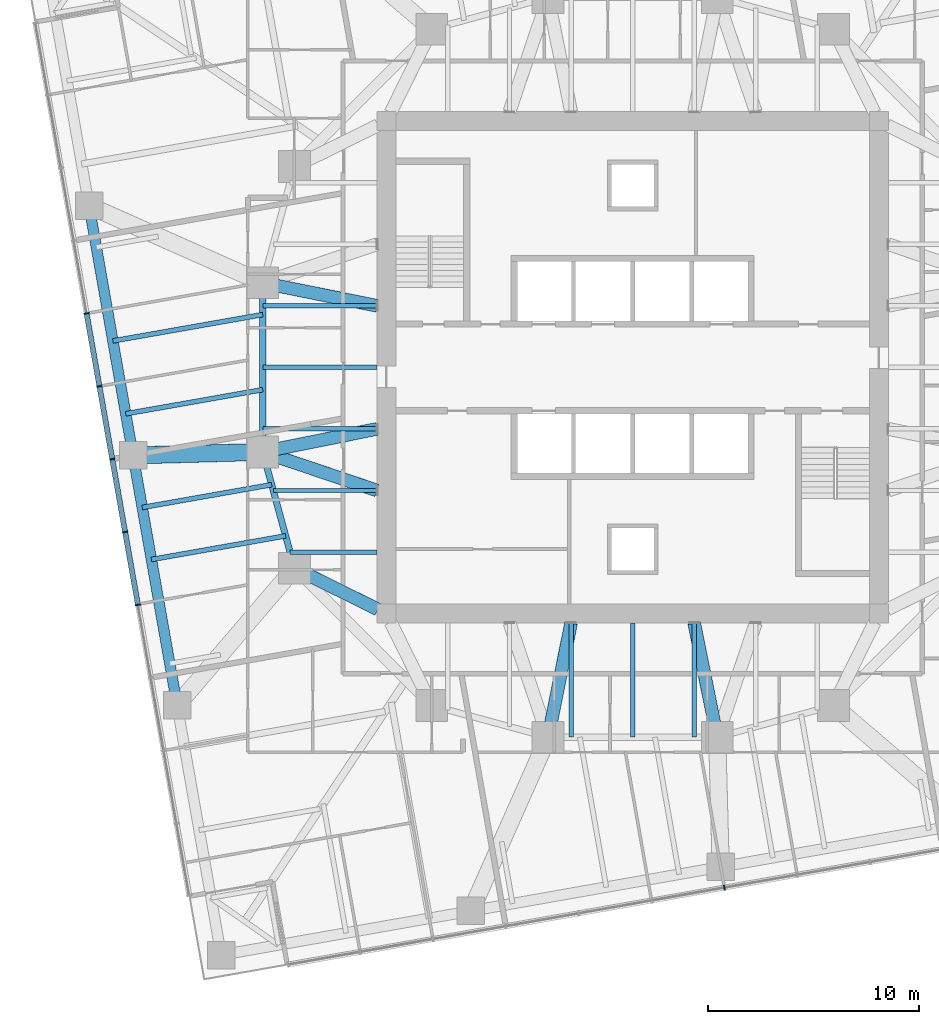
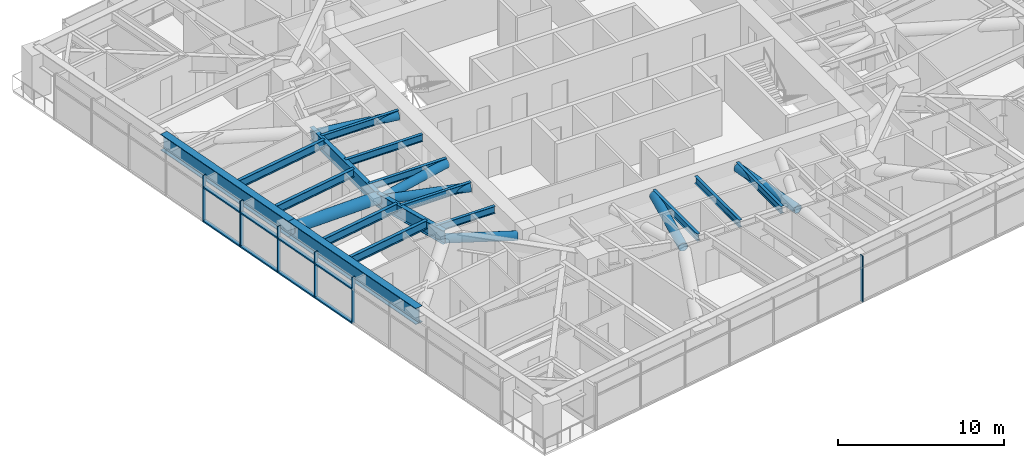
# One storey, part 3 of 17: 21 members, 16 beams, 2 elements without a shape of their own.
"""IFC4 building model written with IfcOpenShell, lengths in metres."""

from ifc_helpers import new_model, si_unit, direction, frame, origin, origin_2d, place, context, subcontext, project, spatial, rectangle, hollow_circle, i_section, extrude, material, material_profile, profile_set, type_object, element, aggregate, save


model = new_model("IFC4")

# Units and contexts
model_context = context("Model", 3, precision=1e-05, world=origin(), true_north=direction((0.0, 1.0)))
body_context = subcontext(model_context, "Body", "Model", "MODEL_VIEW")
ifc_project = project(units=[si_unit("LENGTHUNIT", "METRE"), si_unit("AREAUNIT", "SQUARE_METRE"), si_unit("VOLUMEUNIT", "CUBIC_METRE"), si_unit("PLANEANGLEUNIT", "RADIAN"), si_unit("MASSUNIT", "GRAM", prefix="KILO")], contexts=[model_context])

# Site, building, storey
site_placement = place(None, origin())
site = spatial("IfcSite", under=ifc_project, at=site_placement, CompositionType="ELEMENT")
building_placement = place(site_placement, origin())
building = spatial("IfcBuilding", under=site, at=building_placement, Name="Torsade Residences", CompositionType="ELEMENT")
storey_placement = place(building_placement, frame((0.0, 0.0, 103.199951171875)))
storey = spatial("IfcBuildingStorey", under=building, at=storey_placement, Name="L28", CompositionType="ELEMENT", Elevation=103.199951171875)

# Curtain wall, member
ifc_material_1 = material(Name="Aluminium and glass", Category="aluminium")
curtain_wall_type = type_object("IfcCurtainWallType", Name="FRITTED GLASS CURTAIN WALL LOW ZONE", PredefinedType="NOTDEFINED", material=ifc_material_1)
curtain_wall_1_placement = place(storey_placement, origin())
curtain_wall_1 = element("IfcCurtainWall", 1, at=curtain_wall_1_placement, inside=storey, type_object=curtain_wall_type, Name="Curtain wall L28 face 1", PredefinedType="NOTDEFINED")
ifc_material_2 = material(Name="Aluminium mullion", Category="aluminium")
ifc_material_profile_1 = material_profile(ifc_material_2, rectangle(XDim=0.25, YDim=0.06494140625, at=origin_2d()), Name="CURTAIN WALL MULLION 250x65")
ifc_profile_set_1 = profile_set([ifc_material_profile_1], Name="Aluminium mullion")
member_type_1 = type_object("IfcMemberType", Name="CURTAIN WALL MULLION 250x65", PredefinedType="MULLION", material=ifc_profile_set_1)
member_1_placement = place(storey_placement, frame((44.34130859375, 5.3798828125, 0.0), z_axis=(0.0, 0.0, 1.0), x_axis=(-0.173648192638, 0.984807750372, 0.0)))
member_1 = element("IfcMember", 2, at=member_1_placement, type_object=member_type_1, Name="Mullion 7", PredefinedType="MULLION", context=body_context, shape_type="SweptSolid", body=[
    extrude(rectangle(XDim=0.25, YDim=0.06494140625, at=origin_2d()), origin(), (0.0, 0.0, 1.0), 3.400146484375),
])
aggregate(curtain_wall_1, [member_1])

# Curtain wall, members
curtain_wall_2_placement = place(storey_placement, origin())
curtain_wall_2 = element("IfcCurtainWall", 3, at=curtain_wall_2_placement, inside=storey, type_object=curtain_wall_type, Name="Curtain wall L28 face 10", PredefinedType="NOTDEFINED")
member_2_placement = place(storey_placement, frame((14.164306640625, 32.552490234375, 0.0), z_axis=(0.0, 0.0, 1.0), x_axis=(0.984807750372, 0.173648192638, 0.0)))
member_2 = element("IfcMember", 4, at=member_2_placement, type_object=member_type_1, Name="Mullion 5", PredefinedType="MULLION", context=body_context, shape_type="SweptSolid", body=[
    extrude(rectangle(XDim=0.25, YDim=0.06494140625, at=origin_2d()), origin(), (0.0, 0.0, 1.0), 3.400146484375),
])
member_3_placement = place(storey_placement, frame((14.77197265625, 29.105712890625, 0.0), z_axis=(0.0, 0.0, 1.0), x_axis=(0.984807750372, 0.173648192638, 0.0)))
member_3 = element("IfcMember", 5, at=member_3_placement, type_object=member_type_1, Name="Mullion 6", PredefinedType="MULLION", context=body_context, shape_type="SweptSolid", body=[
    extrude(rectangle(XDim=0.25, YDim=0.06494140625, at=origin_2d()), origin(), (0.0, 0.0, 1.0), 3.400146484375),
])
member_4_placement = place(storey_placement, frame((15.3798828125, 25.65869140625, 0.0), z_axis=(0.0, 0.0, 1.0), x_axis=(0.984807750372, 0.173648192638, 0.0)))
member_4 = element("IfcMember", 6, at=member_4_placement, type_object=member_type_1, Name="Mullion 7", PredefinedType="MULLION", context=body_context, shape_type="SweptSolid", body=[
    extrude(rectangle(XDim=0.25, YDim=0.06494140625, at=origin_2d()), origin(), (0.0, 0.0, 1.0), 3.400146484375),
])
member_5_placement = place(storey_placement, frame((15.987548828125, 22.2119140625, 0.0), z_axis=(0.0, 0.0, 1.0), x_axis=(0.984807750372, 0.173648192638, 0.0)))
member_5 = element("IfcMember", 7, at=member_5_placement, type_object=member_type_1, Name="Mullion 8", PredefinedType="MULLION", context=body_context, shape_type="SweptSolid", body=[
    extrude(rectangle(XDim=0.25, YDim=0.06494140625, at=origin_2d()), origin(), (0.0, 0.0, 1.0), 3.400146484375),
])
member_6_placement = place(storey_placement, frame((16.595458984375, 18.76513671875, 0.0), z_axis=(0.0, 0.0, 1.0), x_axis=(0.984807750372, 0.173648192638, 0.0)))
member_6 = element("IfcMember", 8, at=member_6_placement, type_object=member_type_1, Name="Mullion 9", PredefinedType="MULLION", context=body_context, shape_type="SweptSolid", body=[
    extrude(rectangle(XDim=0.25, YDim=0.06494140625, at=origin_2d()), origin(), (0.0, 0.0, 1.0), 3.400146484375),
])
ifc_material_3 = material(Name="Aluminium transom", Category="aluminium")
ifc_material_profile_2 = material_profile(ifc_material_3, rectangle(XDim=0.25, YDim=0.10009765625, at=origin_2d()), Name="CURTAIN WALL TRANSOM 250x100")
ifc_profile_set_2 = profile_set([ifc_material_profile_2], Name="Aluminium transom")
member_type_2 = type_object("IfcMemberType", Name="CURTAIN WALL TRANSOM 250x100", PredefinedType="USERDEFINED", material=ifc_profile_set_2)
member_7_placement = place(storey_placement, frame((14.169921875, 32.5205078125, 0.050048828125), z_axis=(0.17363531196, -0.984810021497, 0.0), x_axis=(0.984810021497, 0.17363531196, 0.0)))
member_7 = element("IfcMember", 9, at=member_7_placement, type_object=member_type_2, Name="Transom 5.1", ObjectType="TRANSOM", PredefinedType="USERDEFINED", context=body_context, shape_type="SweptSolid", body=[
    extrude(rectangle(XDim=0.25, YDim=0.10009765625, at=origin_2d()), origin(), (0.0, 0.0, 1.0), 3.43505859375),
])
member_8_placement = place(storey_placement, frame((14.169921875, 32.5205078125, 2.550048828125), z_axis=(0.17363531196, -0.984810021497, 0.0), x_axis=(0.984810021497, 0.17363531196, 0.0)))
member_8 = element("IfcMember", 10, at=member_8_placement, type_object=member_type_2, Name="Transom 5.2", ObjectType="TRANSOM", PredefinedType="USERDEFINED", context=body_context, shape_type="SweptSolid", body=[
    extrude(rectangle(XDim=0.25, YDim=0.10009765625, at=origin_2d()), origin(), (0.0, 0.0, 1.0), 3.43505859375),
])
member_9_placement = place(storey_placement, frame((14.777587890625, 29.07373046875, 0.050048828125), z_axis=(0.173704242465, -0.98479786563, 0.0), x_axis=(0.98479786563, 0.173704242465, 0.0)))
member_9 = element("IfcMember", 11, at=member_9_placement, type_object=member_type_2, Name="Transom 6.1", ObjectType="TRANSOM", PredefinedType="USERDEFINED", context=body_context, shape_type="SweptSolid", body=[
    extrude(rectangle(XDim=0.25, YDim=0.10009765625, at=origin_2d()), origin(), (0.0, 0.0, 1.0), 3.43505859375),
])
member_10_placement = place(storey_placement, frame((14.777587890625, 29.07373046875, 2.550048828125), z_axis=(0.173704242465, -0.98479786563, 0.0), x_axis=(0.98479786563, 0.173704242465, 0.0)))
member_10 = element("IfcMember", 12, at=member_10_placement, type_object=member_type_2, Name="Transom 6.2", ObjectType="TRANSOM", PredefinedType="USERDEFINED", context=body_context, shape_type="SweptSolid", body=[
    extrude(rectangle(XDim=0.25, YDim=0.10009765625, at=origin_2d()), origin(), (0.0, 0.0, 1.0), 3.43505859375),
])
member_11_placement = place(storey_placement, frame((15.385498046875, 25.626708984375, 0.050048828125), z_axis=(0.17363531196, -0.984810021497, 0.0), x_axis=(0.984810021497, 0.17363531196, 0.0)))
member_11 = element("IfcMember", 13, at=member_11_placement, type_object=member_type_2, Name="Transom 7.1", ObjectType="TRANSOM", PredefinedType="USERDEFINED", context=body_context, shape_type="SweptSolid", body=[
    extrude(rectangle(XDim=0.25, YDim=0.10009765625, at=origin_2d()), origin(), (0.0, 0.0, 1.0), 3.43505859375),
])
member_12_placement = place(storey_placement, frame((15.385498046875, 25.626708984375, 2.550048828125), z_axis=(0.17363531196, -0.984810021497, 0.0), x_axis=(0.984810021497, 0.17363531196, 0.0)))
member_12 = element("IfcMember", 14, at=member_12_placement, type_object=member_type_2, Name="Transom 7.2", ObjectType="TRANSOM", PredefinedType="USERDEFINED", context=body_context, shape_type="SweptSolid", body=[
    extrude(rectangle(XDim=0.25, YDim=0.10009765625, at=origin_2d()), origin(), (0.0, 0.0, 1.0), 3.43505859375),
])
member_13_placement = place(storey_placement, frame((15.9931640625, 22.179931640625, 0.050048828125), z_axis=(0.17363531196, -0.984810021497, 0.0), x_axis=(0.984810021497, 0.17363531196, 0.0)))
member_13 = element("IfcMember", 15, at=member_13_placement, type_object=member_type_2, Name="Transom 8.1", ObjectType="TRANSOM", PredefinedType="USERDEFINED", context=body_context, shape_type="SweptSolid", body=[
    extrude(rectangle(XDim=0.25, YDim=0.10009765625, at=origin_2d()), origin(), (0.0, 0.0, 1.0), 3.43505859375),
])
member_14_placement = place(storey_placement, frame((15.9931640625, 22.179931640625, 2.550048828125), z_axis=(0.17363531196, -0.984810021497, 0.0), x_axis=(0.984810021497, 0.17363531196, 0.0)))
member_14 = element("IfcMember", 16, at=member_14_placement, type_object=member_type_2, Name="Transom 8.2", ObjectType="TRANSOM", PredefinedType="USERDEFINED", context=body_context, shape_type="SweptSolid", body=[
    extrude(rectangle(XDim=0.25, YDim=0.10009765625, at=origin_2d()), origin(), (0.0, 0.0, 1.0), 3.43505859375),
])
aggregate(curtain_wall_2, [member_2, member_3, member_4, member_5, member_6, member_7, member_8, member_9, member_10, member_11, member_12, member_13, member_14])

# Beams
ifc_material_4 = material(Name="Steel grade 300", Category="steel")
ifc_material_profile_3 = material_profile(ifc_material_4, i_section(OverallWidth=0.208984375, OverallDepth=0.528076171875, WebThickness=0.009521484375, FlangeThickness=0.01318359375, FilletRadius=0.013916015625, at=origin_2d()), Name="530UB82.0")
ifc_profile_set_3 = profile_set([ifc_material_profile_3], Name="Steel grade 300")
beam_type_1 = type_object("IfcBeamType", Name="INNER FLOOR BEAM 530UB82.0", PredefinedType="JOIST", material=ifc_profile_set_3)
for number, where, z_axis, x_axis, name in (
    (17, (42.91259765625, 17.89990234375, 2.93603515625), (0.0, -1.0, 0.0), (1.0, 0.0, 0.0), "Inner floor beam IS03 L29"),
    (18, (40.0, 17.89990234375, 2.93603515625), (0.0, -1.0, 0.0), (1.0, 0.0, 0.0), "Inner floor beam IS04 L29"),
    (19, (37.08740234375, 17.89990234375, 2.93603515625), (0.0, -1.0, 0.0), (1.0, 0.0, 0.0), "Inner floor beam IS05 L29"),
    (20, (27.89990234375, 32.91259765625, 2.93603515625), (-1.0, 0.0, 0.0), (0.0, -1.0, 0.0), "Inner floor beam IW03 L29"),
    (21, (27.89990234375, 30.0, 2.93603515625), (-1.0, 0.0, 0.0), (0.0, -1.0, 0.0), "Inner floor beam IW04 L29"),
    (22, (27.89990234375, 27.08740234375, 2.93603515625), (-1.0, 0.0, 0.0), (0.0, -1.0, 0.0), "Inner floor beam IW05 L29"),
):
    element("IfcBeam", number, at=place(storey_placement, frame(where, z_axis=z_axis, x_axis=x_axis)), inside=storey, type_object=beam_type_1, Name=name, PredefinedType="JOIST", context=body_context, shape_type="SweptSolid", body=[
        extrude(i_section(OverallWidth=0.208984375, OverallDepth=0.528076171875, WebThickness=0.009521484375, FlangeThickness=0.01318359375, FilletRadius=0.013916015625, at=origin_2d()), origin(), (0.0, 0.0, 1.0), 5.39990234375),
    ])
beam_1_placement = place(storey_placement, frame((27.89990234375, 24.175048828125, 2.93603515625), z_axis=(-1.0, 0.0, 0.0), x_axis=(0.0, -1.0, 0.0)))
element("IfcBeam", 23, at=beam_1_placement, inside=storey, type_object=beam_type_1, Name="Inner floor beam IW06 L29", PredefinedType="JOIST", context=body_context, shape_type="SweptSolid", body=[
    extrude(i_section(OverallWidth=0.208984375, OverallDepth=0.528076171875, WebThickness=0.009521484375, FlangeThickness=0.01318359375, FilletRadius=0.013916015625, at=origin_2d()), origin(), (0.0, 0.0, 1.0), 4.902099609375),
])
beam_2_placement = place(storey_placement, frame((27.89990234375, 21.262451171875, 2.93603515625), z_axis=(-1.0, 0.0, 0.0), x_axis=(0.0, -1.0, 0.0)))
element("IfcBeam", 24, at=beam_2_placement, inside=storey, type_object=beam_type_1, Name="Inner floor beam IW07 L29", PredefinedType="JOIST", context=body_context, shape_type="SweptSolid", body=[
    extrude(i_section(OverallWidth=0.208984375, OverallDepth=0.528076171875, WebThickness=0.009521484375, FlangeThickness=0.01318359375, FilletRadius=0.013916015625, at=origin_2d()), origin(), (0.0, 0.0, 1.0), 4.10791015625),
])
ifc_material_5 = material(Name="Steel grade 300", Category="steel")
ifc_material_profile_4 = material_profile(ifc_material_5, i_section(OverallWidth=0.300048828125, OverallDepth=1.0, WebThickness=0.01611328125, FlangeThickness=0.028076171875, at=origin_2d()), Name="1000WB215")
ifc_profile_set_4 = profile_set([ifc_material_profile_4], Name="Steel grade 300")
beam_type_2 = type_object("IfcBeamType", Name="RING GIRDER 1000WB215", PredefinedType="BEAM", material=ifc_profile_set_4)
beam_3_placement = place(storey_placement, frame((22.5, 34.0, 2.699951171875), z_axis=(0.0, -1.0, 0.0), x_axis=(1.0, 0.0, 0.0)))
element("IfcBeam", 25, at=beam_3_placement, inside=storey, type_object=beam_type_2, Name="Ring girder IR09 L29", PredefinedType="BEAM", context=body_context, shape_type="SweptSolid", body=[
    extrude(i_section(OverallWidth=0.300048828125, OverallDepth=1.0, WebThickness=0.01611328125, FlangeThickness=0.028076171875, at=origin_2d()), origin(), (0.0, 0.0, 1.0), 8.0),
])
beam_4_placement = place(storey_placement, frame((22.5, 26.0, 2.699951171875), z_axis=(0.263117405792, -0.964763821238, 0.0), x_axis=(0.964763821238, 0.263117405792, 0.0)))
element("IfcBeam", 26, at=beam_4_placement, inside=storey, type_object=beam_type_2, Name="Ring girder IR10 L29", PredefinedType="BEAM", context=body_context, shape_type="SweptSolid", body=[
    extrude(i_section(OverallWidth=0.300048828125, OverallDepth=1.0, WebThickness=0.01611328125, FlangeThickness=0.028076171875, at=origin_2d()), origin(), (0.0, 0.0, 1.0), 5.700927734375),
])
ifc_material_6 = material(Name="Steel grade 300", Category="steel")
ifc_material_profile_5 = material_profile(ifc_material_6, i_section(OverallWidth=0.22900390625, OverallDepth=0.612060546875, WebThickness=0.011962890625, FlangeThickness=0.01953125, FilletRadius=0.013916015625, at=origin_2d()), Name="610UB125")
ifc_profile_set_5 = profile_set([ifc_material_profile_5], Name="Steel grade 300")
beam_type_3 = type_object("IfcBeamType", Name="SECONDARY BEAM 610UB125", PredefinedType="JOIST", material=ifc_profile_set_5)
beam_5_placement = place(storey_placement, frame((15.40966796875, 31.248779296875, 2.89404296875), z_axis=(0.984807104535, 0.173651855324, 0.0), x_axis=(-0.173651855324, 0.984807104535, 0.0)))
element("IfcBeam", 27, at=beam_5_placement, inside=storey, type_object=beam_type_3, Name="Floor beam FW05 L29", PredefinedType="JOIST", context=body_context, shape_type="SweptSolid", body=[
    extrude(i_section(OverallWidth=0.22900390625, OverallDepth=0.612060546875, WebThickness=0.011962890625, FlangeThickness=0.01953125, FilletRadius=0.013916015625, at=origin_2d()), origin(), (0.0, 0.0, 1.0), 7.19970703125),
])
beam_6_placement = place(storey_placement, frame((16.017333984375, 27.802001953125, 2.89404296875), z_axis=(0.984807818459, 0.173647806501, 0.0), x_axis=(-0.173647806501, 0.984807818459, 0.0)))
element("IfcBeam", 28, at=beam_6_placement, inside=storey, type_object=beam_type_3, Name="Floor beam FW06 L29", PredefinedType="JOIST", context=body_context, shape_type="SweptSolid", body=[
    extrude(i_section(OverallWidth=0.22900390625, OverallDepth=0.612060546875, WebThickness=0.011962890625, FlangeThickness=0.01953125, FilletRadius=0.013916015625, at=origin_2d()), origin(), (0.0, 0.0, 1.0), 6.582763671875),
])
beam_7_placement = place(storey_placement, frame((16.798828125, 23.370361328125, 2.89404296875), z_axis=(0.984806474989, 0.173655425542, 0.0), x_axis=(-0.173655425542, 0.984806474989, 0.0)))
element("IfcBeam", 29, at=beam_7_placement, inside=storey, type_object=beam_type_3, Name="Floor beam FW07 L29", PredefinedType="JOIST", context=body_context, shape_type="SweptSolid", body=[
    extrude(i_section(OverallWidth=0.22900390625, OverallDepth=0.612060546875, WebThickness=0.011962890625, FlangeThickness=0.01953125, FilletRadius=0.013916015625, at=origin_2d()), origin(), (0.0, 0.0, 1.0), 6.21826171875),
])
beam_8_placement = place(storey_placement, frame((17.23291015625, 20.908447265625, 2.89404296875), z_axis=(0.984810608823, 0.17363198078, 0.0), x_axis=(-0.17363198078, 0.984810608823, 0.0)))
element("IfcBeam", 30, at=beam_8_placement, inside=storey, type_object=beam_type_3, Name="Floor beam FW08 L29", PredefinedType="JOIST", context=body_context, shape_type="SweptSolid", body=[
    extrude(i_section(OverallWidth=0.22900390625, OverallDepth=0.612060546875, WebThickness=0.011962890625, FlangeThickness=0.01953125, FilletRadius=0.013916015625, at=origin_2d()), origin(), (0.0, 0.0, 1.0), 6.4482421875),
])

# Members
ifc_material_7 = material(Name="Steel grade 450", Category="steel")
ifc_material_profile_6 = material_profile(ifc_material_7, hollow_circle(Radius=0.304931640625, WallThickness=0.01611328125, at=origin_2d()), Name="610.0x16.0CHS")
ifc_profile_set_6 = profile_set([ifc_material_profile_6], Name="Steel grade 450")
member_type_3 = type_object("IfcMemberType", Name="TRANSFER FLOOR BRACE 610.0x16.0CHS", PredefinedType="BRACE", material=ifc_profile_set_6)
for number, where, z_axis, x_axis, name in (
    (31, (22.5, 34.0, 2.60009765625), (0.97976207845, -0.197299045909, 0.03375434957), (0.197411538983, 0.980320704809, 0.0), "Transfer floor brace TT3 bottom IR09IW03"),
    (32, (22.5, 26.0, 2.60009765625), (0.97976207845, 0.197299045909, 0.03375434957), (-0.197411538983, 0.980320704809, 0.0), "Transfer floor brace TT3 bottom IR10IW05"),
):
    element("IfcMember", number, at=place(storey_placement, frame(where, z_axis=z_axis, x_axis=x_axis)), inside=storey, type_object=member_type_3, Name=name, PredefinedType="BRACE", context=body_context, shape_type="SweptSolid", body=[
        extrude(hollow_circle(Radius=0.304931640625, WallThickness=0.01611328125, at=origin_2d()), origin(), (0.0, 0.0, 1.0), 5.511474609375),
    ])
member_15_placement = place(storey_placement, frame((22.5, 26.0, 2.60009765625), z_axis=(0.946855969774, -0.319999474368, 0.032620682203), x_axis=(0.320169867513, 0.947360151124, 0.0)))
element("IfcMember", 33, at=member_15_placement, inside=storey, type_object=member_type_3, Name="Transfer floor brace TT3 bottom IR10IW06", PredefinedType="BRACE", context=body_context, shape_type="SweptSolid", body=[
    extrude(hollow_circle(Radius=0.304931640625, WallThickness=0.01611328125, at=origin_2d()), origin(), (0.0, 0.0, 1.0), 5.702880859375),
])
member_16_placement = place(storey_placement, frame((24.0, 20.5, 2.60009765625), z_axis=(0.896469701914, -0.443105036702, 0.0), x_axis=(0.443105036702, 0.896469701914, 0.0)))
element("IfcMember", 34, at=member_16_placement, inside=storey, type_object=member_type_3, Name="Transfer floor brace TT3 bottom IR11C", PredefinedType="BRACE", context=body_context, shape_type="SweptSolid", body=[
    extrude(hollow_circle(Radius=0.304931640625, WallThickness=0.01611328125, at=origin_2d()), origin(), (0.0, 0.0, 1.0), 4.40234375),
])
for number, where, z_axis, x_axis, name in (
    (35, (36.0, 12.5, 2.60009765625), (0.197299045909, 0.97976207845, 0.03375434957), (-0.980320704809, 0.197411538983, 0.0), "Transfer floor brace TT3 bottom IR13IS05"),
    (36, (44.0, 12.5, 2.60009765625), (-0.197299045909, 0.97976207845, 0.03375434957), (-0.980320704809, -0.197411538983, 0.0), "Transfer floor brace TT3 bottom IR14IS03"),
):
    element("IfcMember", number, at=place(storey_placement, frame(where, z_axis=z_axis, x_axis=x_axis)), inside=storey, type_object=member_type_3, Name=name, PredefinedType="BRACE", context=body_context, shape_type="SweptSolid", body=[
        extrude(hollow_circle(Radius=0.304931640625, WallThickness=0.01611328125, at=origin_2d()), origin(), (0.0, 0.0, 1.0), 5.511474609375),
    ])
ifc_material_8 = material(Name="Steel grade 450", Category="steel")
ifc_material_profile_7 = material_profile(ifc_material_8, hollow_circle(Radius=0.406494140625, WallThickness=0.02490234375, at=origin_2d()), Name="813.0x25.0CHS")
ifc_profile_set_7 = profile_set([ifc_material_profile_7], Name="Steel grade 450")
member_type_4 = type_object("IfcMemberType", Name="TRANSFER FLOOR STRUT 813.0x25.0CHS", PredefinedType="STRUT", material=ifc_profile_set_7)
member_17_placement = place(storey_placement, frame((16.364501953125, 25.83251953125, 2.800048828125), z_axis=(0.999627645955, 0.027286799774, 0.0), x_axis=(-0.027286799774, 0.999627645955, 0.0)))
element("IfcMember", 37, at=member_17_placement, inside=storey, type_object=member_type_4, Name="Transfer floor strut TT3 bottom 15IR10", PredefinedType="STRUT", context=body_context, shape_type="SweptSolid", body=[
    extrude(hollow_circle(Radius=0.406494140625, WallThickness=0.02490234375, at=origin_2d()), origin(), (0.0, 0.0, 1.0), 6.1376953125),
])

# Beams
ifc_material_9 = material(Name="Steel grade 350", Category="steel")
ifc_material_profile_8 = material_profile(ifc_material_9, i_section(OverallWidth=0.5, OverallDepth=1.199951171875, WebThickness=0.031982421875, FlangeThickness=0.050048828125, at=origin_2d()), Name="1200x500x50x32WPG")
ifc_profile_set_8 = profile_set([ifc_material_profile_8], Name="Steel grade 350")
beam_type_4 = type_object("IfcBeamType", Name="TRANSFER TRUSS CHORD 1200x500x50x32WPG", PredefinedType="USERDEFINED", material=ifc_profile_set_8)
beam_9_placement = place(storey_placement, frame((14.28076171875, 37.650146484375, 2.800048828125), z_axis=(0.173646056486, -0.984808127031, 0.0), x_axis=(0.984808127031, 0.173646056486, 0.0)))
element("IfcBeam", 38, at=beam_9_placement, inside=storey, type_object=beam_type_4, Name="Transfer truss TT3 bottom chord 14", ObjectType="TRANSFER TRUSS CHORD", PredefinedType="USERDEFINED", context=body_context, shape_type="SweptSolid", body=[
    extrude(i_section(OverallWidth=0.5, OverallDepth=1.199951171875, WebThickness=0.031982421875, FlangeThickness=0.050048828125, at=origin_2d()), origin(), (0.0, 0.0, 1.0), 12.0),
])
beam_10_placement = place(storey_placement, frame((16.364501953125, 25.83251953125, 2.800048828125), z_axis=(0.173662308598, -0.984805261243, 0.0), x_axis=(0.984805261243, 0.173662308598, 0.0)))
element("IfcBeam", 39, at=beam_10_placement, inside=storey, type_object=beam_type_4, Name="Transfer truss TT3 bottom chord 15", ObjectType="TRANSFER TRUSS CHORD", PredefinedType="USERDEFINED", context=body_context, shape_type="SweptSolid", body=[
    extrude(i_section(OverallWidth=0.5, OverallDepth=1.199951171875, WebThickness=0.031982421875, FlangeThickness=0.050048828125, at=origin_2d()), origin(), (0.0, 0.0, 1.0), 12.000244140625),
])

save(model, "model.ifc")
